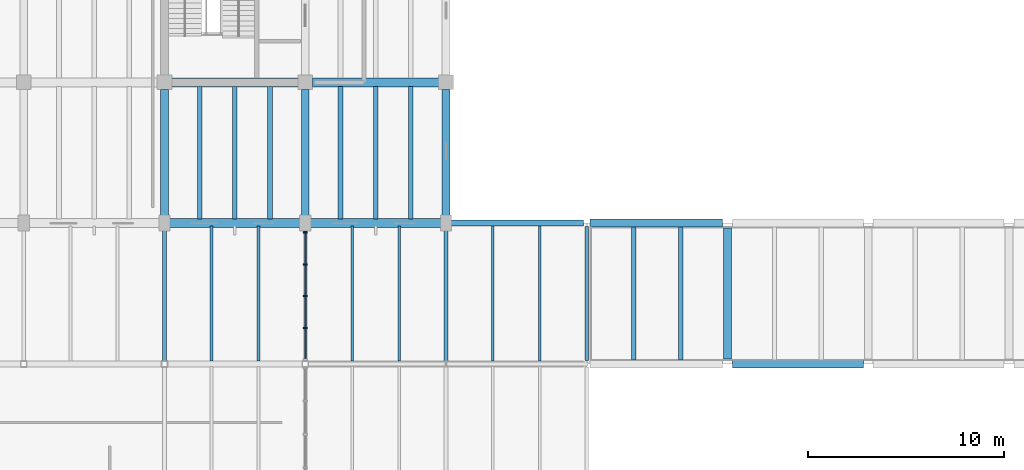
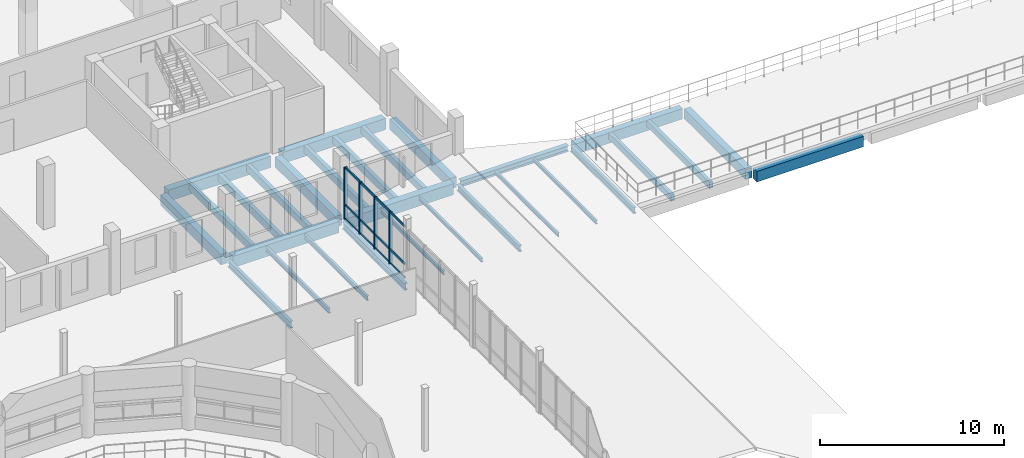
# One storey, part 35 of 63: 29 beams, 16 members, 1 element without a shape of its own.
"""IFC4 building model written with IfcOpenShell, lengths in metres."""

from ifc_helpers import new_model, si_unit, direction, frame, origin, origin_2d, place, context, subcontext, project, spatial, rectangle, i_section, extrude, material, material_profile, profile_set, type_object, element, aggregate, save


model = new_model("IFC4")

# Units and contexts
model_context = context("Model", 3, precision=1e-05, world=origin(), true_north=direction((0.0, 1.0)))
body_context = subcontext(model_context, "Body", "Model", "MODEL_VIEW")
ifc_project = project(units=[si_unit("LENGTHUNIT", "METRE"), si_unit("AREAUNIT", "SQUARE_METRE"), si_unit("VOLUMEUNIT", "CUBIC_METRE"), si_unit("PLANEANGLEUNIT", "RADIAN"), si_unit("MASSUNIT", "GRAM", prefix="KILO")], contexts=[model_context])

# Site, building, storey
site_placement = place(None, origin())
site = spatial("IfcSite", under=ifc_project, at=site_placement, CompositionType="ELEMENT")
building_placement = place(site_placement, origin())
building = spatial("IfcBuilding", under=site, at=building_placement, Name="Qiaolan Assembly House", CompositionType="ELEMENT")
storey_placement = place(building_placement, frame((0.0, 0.0, 14.39990234375)))
storey = spatial("IfcBuildingStorey", under=building, at=storey_placement, Name="L03", CompositionType="ELEMENT", Elevation=14.39990234375)

# Beams
ifc_material_1 = material(Name="Concrete C40/50", Category="concrete")
ifc_material_profile_1 = material_profile(ifc_material_1, rectangle(XDim=0.39990234375, YDim=0.64990234375, at=origin_2d()), Name="RCB 400x650")
ifc_profile_set_1 = profile_set([ifc_material_profile_1], Name="Concrete C40/50")
beam_type_1 = type_object("IfcBeamType", Name="BM-RC-400x650", PredefinedType="BEAM", material=ifc_profile_set_1)
beam_1_placement = place(storey_placement, frame((115.199951171875, 79.449951171875, -0.635009765625), z_axis=(0.0, 1.0, 0.0), x_axis=(-1.0, 0.0, 0.0)))
element("IfcBeam", 1, at=beam_1_placement, inside=storey, type_object=beam_type_1, Name="GB-06 beam BMY-CLNR-L03-01-00", PredefinedType="BEAM", context=body_context, shape_type="SweptSolid", body=[
    extrude(rectangle(XDim=0.39990234375, YDim=0.64990234375, at=origin_2d()), origin(), (0.0, 0.0, 1.0), 6.699951171875),
])
ifc_material_profile_2 = material_profile(ifc_material_1, rectangle(XDim=0.39990234375, YDim=0.699951171875, at=origin_2d()), Name="RCB 400x700")
ifc_profile_set_2 = profile_set([ifc_material_profile_2], Name="Concrete C40/50")
beam_type_2 = type_object("IfcBeamType", Name="BM-RC-400x700", PredefinedType="BEAM", material=ifc_profile_set_2)
for number, where, z_axis, x_axis, name in (
    (2, (86.39990234375, 86.6650390625, -0.579833984375), (0.0, 1.0, 0.0), (-1.0, 0.0, 0.0), "GB-05 beam BMY-NW-L03-07-00"),
    (3, (93.60009765625, 86.6650390625, -0.579833984375), (0.0, 1.0, 0.0), (-1.0, 0.0, 0.0), "GB-05 beam BMY-NW-L03-08-00"),
    (4, (100.800048828125, 86.6650390625, -0.579833984375), (0.0, 1.0, 0.0), (-1.0, 0.0, 0.0), "GB-05 beam BMY-NW-L03-09-00"),
):
    element("IfcBeam", number, at=place(storey_placement, frame(where, z_axis=z_axis, x_axis=x_axis)), inside=storey, type_object=beam_type_2, Name=name, PredefinedType="BEAM", context=body_context, shape_type="SweptSolid", body=[
        extrude(rectangle(XDim=0.39990234375, YDim=0.699951171875, at=origin_2d()), origin(), (0.0, 0.0, 1.0), 6.570068359375),
    ])
beam_2_placement = place(storey_placement, frame((115.449951171875, 79.199951171875, -0.659912109375), z_axis=(1.0, 0.0, 0.0), x_axis=(0.0, 1.0, 0.0)))
element("IfcBeam", 5, at=beam_2_placement, inside=storey, type_object=beam_type_2, Name="GB-05 beam BMX-CLNR-L03-01-00", PredefinedType="BEAM", context=body_context, shape_type="SweptSolid", body=[
    extrude(rectangle(XDim=0.39990234375, YDim=0.699951171875, at=origin_2d()), origin(), (0.0, 0.0, 1.0), 6.699951171875),
])
beam_3_placement = place(storey_placement, frame((108.1650390625, 86.39990234375, -0.659912109375), z_axis=(1.0, 0.0, 0.0), x_axis=(0.0, 1.0, 0.0)))
element("IfcBeam", 6, at=beam_3_placement, inside=storey, type_object=beam_type_2, Name="GB-05 beam BMX-CLNR-L03-00-01", PredefinedType="BEAM", context=body_context, shape_type="SweptSolid", body=[
    extrude(rectangle(XDim=0.39990234375, YDim=0.699951171875, at=origin_2d()), origin(), (0.0, 0.0, 1.0), 6.784912109375),
])
ifc_material_profile_3 = material_profile(ifc_material_1, rectangle(XDim=0.449951171875, YDim=0.75, at=origin_2d()), Name="RCB 450x750")
ifc_profile_set_3 = profile_set([ifc_material_profile_3], Name="Concrete C40/50")
beam_type_3 = type_object("IfcBeamType", Name="BM-RC-450x750", PredefinedType="BEAM", material=ifc_profile_set_3)
for number, where, z_axis, x_axis, name in (
    (7, (86.6650390625, 86.39990234375, -0.60498046875), (1.0, 0.0, 0.0), (0.0, 1.0, 0.0), "GB-04 beam BMX-NW-L03-07-00"),
    (8, (93.864990234375, 86.39990234375, -0.60498046875), (1.0, 0.0, 0.0), (0.0, 1.0, 0.0), "GB-04 beam BMX-NW-L03-08-00"),
):
    element("IfcBeam", number, at=place(storey_placement, frame(where, z_axis=z_axis, x_axis=x_axis)), inside=storey, type_object=beam_type_3, Name=name, PredefinedType="BEAM", context=body_context, shape_type="SweptSolid", body=[
        extrude(rectangle(XDim=0.449951171875, YDim=0.75, at=origin_2d()), origin(), (0.0, 0.0, 1.0), 6.669921875),
    ])
beam_4_placement = place(storey_placement, frame((86.764892578125, 93.60009765625, -0.60498046875), z_axis=(1.0, 0.0, 0.0), x_axis=(0.0, 1.0, 0.0)))
element("IfcBeam", 9, at=beam_4_placement, inside=storey, type_object=beam_type_3, Name="GB-04 beam BMX-NW-L03-07-01", PredefinedType="BEAM", context=body_context, shape_type="SweptSolid", body=[
    extrude(rectangle(XDim=0.449951171875, YDim=0.75, at=origin_2d()), origin(), (0.0, 0.0, 1.0), 6.47021484375),
])
beam_5_placement = place(storey_placement, frame((93.965087890625, 93.60009765625, -0.60498046875), z_axis=(1.0, 0.0, 0.0), x_axis=(0.0, 1.0, 0.0)))
element("IfcBeam", 10, at=beam_5_placement, inside=storey, type_object=beam_type_3, Name="GB-04 beam BMX-NW-L03-08-01", PredefinedType="BEAM", context=body_context, shape_type="SweptSolid", body=[
    extrude(rectangle(XDim=0.449951171875, YDim=0.75, at=origin_2d()), origin(), (0.0, 0.0, 1.0), 6.469970703125),
])
ifc_material_2 = material(Name="Steel Q355B", Category="steel")
ifc_material_profile_4 = material_profile(ifc_material_2, i_section(OverallWidth=0.300048828125, OverallDepth=0.389892578125, WebThickness=0.010009765625, FlangeThickness=0.01611328125, FilletRadius=0.01806640625, at=origin_2d()), Name="HM 390x300x10x16")
ifc_profile_set_4 = profile_set([ifc_material_profile_4], Name="Steel Q355B")
beam_type_4 = type_object("IfcBeamType", Name="BM-STL-HM390", PredefinedType="BEAM", material=ifc_profile_set_4)
beam_6_placement = place(storey_placement, frame((101.06494140625, 86.39990234375, -0.5048828125), z_axis=(1.0, 0.0, 0.0), x_axis=(0.0, 1.0, 0.0)))
element("IfcBeam", 11, at=beam_6_placement, inside=storey, type_object=beam_type_4, Name="SB-08 beam BMX-HLETR-L03-01-07", PredefinedType="BEAM", context=body_context, shape_type="SweptSolid", body=[
    extrude(i_section(OverallWidth=0.300048828125, OverallDepth=0.389892578125, WebThickness=0.010009765625, FlangeThickness=0.01611328125, FilletRadius=0.01806640625, at=origin_2d()), origin(), (0.0, 0.0, 1.0), 6.77001953125),
])
ifc_material_profile_5 = material_profile(ifc_material_2, i_section(OverallWidth=0.199951171875, OverallDepth=0.39990234375, WebThickness=0.008056640625, FlangeThickness=0.012939453125, FilletRadius=0.01611328125, at=origin_2d()), Name="HN 400x200x8x13")
ifc_profile_set_5 = profile_set([ifc_material_profile_5], Name="Steel Q355B")
beam_type_5 = type_object("IfcBeamType", Name="BM-STL-HN400", PredefinedType="BEAM", material=ifc_profile_set_5)
beam_7_placement = place(storey_placement, frame((100.800048828125, 79.340087890625, -0.510009765625), z_axis=(0.0, 1.0, 0.0), x_axis=(-1.0, 0.0, 0.0)))
element("IfcBeam", 12, at=beam_7_placement, inside=storey, type_object=beam_type_5, Name="SB-09 beam BMY-HLETR-L03-01-06", PredefinedType="BEAM", context=body_context, shape_type="SweptSolid", body=[
    extrude(i_section(OverallWidth=0.199951171875, OverallDepth=0.39990234375, WebThickness=0.008056640625, FlangeThickness=0.012939453125, FilletRadius=0.01611328125, at=origin_2d()), origin(), (0.0, 0.0, 1.0), 6.794921875),
])
beam_8_placement = place(storey_placement, frame((108.0, 79.364990234375, -0.510009765625), z_axis=(0.0, 1.0, 0.0), x_axis=(-1.0, 0.0, 0.0)))
element("IfcBeam", 13, at=beam_8_placement, inside=storey, type_object=beam_type_5, Name="SB-09 beam BMY-HLETR-L03-02-06", PredefinedType="BEAM", context=body_context, shape_type="SweptSolid", body=[
    extrude(i_section(OverallWidth=0.199951171875, OverallDepth=0.39990234375, WebThickness=0.008056640625, FlangeThickness=0.012939453125, FilletRadius=0.01611328125, at=origin_2d()), origin(), (0.0, 0.0, 1.0), 6.8701171875),
])
ifc_material_profile_6 = material_profile(ifc_material_2, i_section(OverallWidth=0.199951171875, OverallDepth=0.449951171875, WebThickness=0.009033203125, FlangeThickness=0.013916015625, FilletRadius=0.01611328125, at=origin_2d()), Name="HN 450x200x9x14")
ifc_profile_set_6 = profile_set([ifc_material_profile_6], Name="Steel Q355B")
beam_type_6 = type_object("IfcBeamType", Name="BM-STL-HN450", PredefinedType="BEAM", material=ifc_profile_set_6)
for number, where, z_axis, x_axis, name in (
    (14, (86.39990234375, 79.340087890625, -0.52490234375), (0.0, 1.0, 0.0), (-1.0, 0.0, 0.0), "SB-07 beam BMY-HLC-L03-06-06"),
    (15, (93.60009765625, 79.340087890625, -0.52490234375), (0.0, 1.0, 0.0), (-1.0, 0.0, 0.0), "SB-07 beam BMY-HLC-L03-07-06"),
):
    element("IfcBeam", number, at=place(storey_placement, frame(where, z_axis=z_axis, x_axis=x_axis)), inside=storey, type_object=beam_type_6, Name=name, PredefinedType="BEAM", context=body_context, shape_type="SweptSolid", body=[
        extrude(i_section(OverallWidth=0.199951171875, OverallDepth=0.449951171875, WebThickness=0.009033203125, FlangeThickness=0.013916015625, FilletRadius=0.01611328125, at=origin_2d()), origin(), (0.0, 0.0, 1.0), 6.794921875),
    ])

# Curtain wall, members
ifc_material_3 = material(Name="Anodised bronze aluminium", Category="aluminium")
curtain_wall_type = type_object("IfcCurtainWallType", Name="CW-HALL-CONC-420", PredefinedType="NOTDEFINED", material=ifc_material_3)
curtain_wall_placement = place(storey_placement, origin())
curtain_wall = element("IfcCurtainWall", 16, at=curtain_wall_placement, inside=storey, type_object=curtain_wall_type, Name="CW-07 L03 Concourse East CW 7", PredefinedType="NOTDEFINED")
ifc_material_profile_7 = material_profile(ifc_material_3, rectangle(XDim=0.08203125, YDim=0.18994140625, at=origin_2d()), Name="MUL 82x190")
ifc_profile_set_7 = profile_set([ifc_material_profile_7], Name="Anodised bronze aluminium")
member_type_1 = type_object("IfcMemberType", Name="CW-HALL-CONC-420-MUL", PredefinedType="MULLION", material=ifc_profile_set_7)
member_1_placement = place(storey_placement, frame((93.60009765625, 85.919921875, 0.0), z_axis=(0.0, 0.0, 1.0), x_axis=(0.0, -1.0, 0.0)))
member_1 = element("IfcMember", 17, at=member_1_placement, type_object=member_type_1, Name="ML-03 mullion CW-HLC-E-06-1", PredefinedType="MULLION", context=body_context, shape_type="SweptSolid", body=[
    extrude(rectangle(XDim=0.08203125, YDim=0.18994140625, at=origin_2d()), origin(), (0.0, 0.0, 1.0), 3.4501953125),
])
member_2_placement = place(storey_placement, frame((93.60009765625, 84.29248046875, 0.0), z_axis=(0.0, 0.0, 1.0), x_axis=(0.0, -1.0, 0.0)))
member_2 = element("IfcMember", 18, at=member_2_placement, type_object=member_type_1, Name="ML-03 mullion CW-HLC-E-06-2", PredefinedType="MULLION", context=body_context, shape_type="SweptSolid", body=[
    extrude(rectangle(XDim=0.08203125, YDim=0.18994140625, at=origin_2d()), origin(), (0.0, 0.0, 1.0), 3.4501953125),
])
member_3_placement = place(storey_placement, frame((93.60009765625, 82.6650390625, 0.0), z_axis=(0.0, 0.0, 1.0), x_axis=(0.0, -1.0, 0.0)))
member_3 = element("IfcMember", 19, at=member_3_placement, type_object=member_type_1, Name="ML-03 mullion CW-HLC-E-06-3", PredefinedType="MULLION", context=body_context, shape_type="SweptSolid", body=[
    extrude(rectangle(XDim=0.08203125, YDim=0.18994140625, at=origin_2d()), origin(), (0.0, 0.0, 1.0), 3.4501953125),
])
member_4_placement = place(storey_placement, frame((93.60009765625, 81.03759765625, 0.0), z_axis=(0.0, 0.0, 1.0), x_axis=(0.0, -1.0, 0.0)))
member_4 = element("IfcMember", 20, at=member_4_placement, type_object=member_type_1, Name="ML-03 mullion CW-HLC-E-06-4", PredefinedType="MULLION", context=body_context, shape_type="SweptSolid", body=[
    extrude(rectangle(XDim=0.08203125, YDim=0.18994140625, at=origin_2d()), origin(), (0.0, 0.0, 1.0), 3.4501953125),
])
ifc_material_profile_8 = material_profile(ifc_material_3, rectangle(XDim=0.072021484375, YDim=0.14501953125, at=origin_2d()), Name="TRN 72x145")
ifc_profile_set_8 = profile_set([ifc_material_profile_8], Name="Anodised bronze aluminium")
member_type_2 = type_object("IfcMemberType", Name="CW-HALL-CONC-420-TRN", PredefinedType="USERDEFINED", material=ifc_profile_set_8)
member_5_placement = place(storey_placement, frame((93.60009765625, 85.87890625, 0.030029296875), z_axis=(0.0, -1.0, 0.0), x_axis=(1.0, 0.0, 0.0)))
member_5 = element("IfcMember", 21, at=member_5_placement, type_object=member_type_2, Name="TR-03 transom CW-HLC-E-06-1-1", ObjectType="TRANSOM", PredefinedType="USERDEFINED", context=body_context, shape_type="SweptSolid", body=[
    extrude(rectangle(XDim=0.072021484375, YDim=0.14501953125, at=origin_2d()), origin(), (0.0, 0.0, 1.0), 1.54541015625),
])
member_6_placement = place(storey_placement, frame((93.60009765625, 85.87890625, 0.9501953125), z_axis=(0.0, -1.0, 0.0), x_axis=(1.0, 0.0, 0.0)))
member_6 = element("IfcMember", 22, at=member_6_placement, type_object=member_type_2, Name="TR-03 transom CW-HLC-E-06-1-2", ObjectType="TRANSOM", PredefinedType="USERDEFINED", context=body_context, shape_type="SweptSolid", body=[
    extrude(rectangle(XDim=0.072021484375, YDim=0.14501953125, at=origin_2d()), origin(), (0.0, 0.0, 1.0), 1.54541015625),
])
member_7_placement = place(storey_placement, frame((93.60009765625, 85.87890625, 3.420166015625), z_axis=(0.0, -1.0, 0.0), x_axis=(1.0, 0.0, 0.0)))
member_7 = element("IfcMember", 23, at=member_7_placement, type_object=member_type_2, Name="TR-03 transom CW-HLC-E-06-1-3", ObjectType="TRANSOM", PredefinedType="USERDEFINED", context=body_context, shape_type="SweptSolid", body=[
    extrude(rectangle(XDim=0.072021484375, YDim=0.14501953125, at=origin_2d()), origin(), (0.0, 0.0, 1.0), 1.54541015625),
])
member_8_placement = place(storey_placement, frame((93.60009765625, 84.25146484375, 0.030029296875), z_axis=(0.0, -1.0, 0.0), x_axis=(1.0, 0.0, 0.0)))
member_8 = element("IfcMember", 24, at=member_8_placement, type_object=member_type_2, Name="TR-03 transom CW-HLC-E-06-2-1", ObjectType="TRANSOM", PredefinedType="USERDEFINED", context=body_context, shape_type="SweptSolid", body=[
    extrude(rectangle(XDim=0.072021484375, YDim=0.14501953125, at=origin_2d()), origin(), (0.0, 0.0, 1.0), 1.54541015625),
])
member_9_placement = place(storey_placement, frame((93.60009765625, 84.25146484375, 0.9501953125), z_axis=(0.0, -1.0, 0.0), x_axis=(1.0, 0.0, 0.0)))
member_9 = element("IfcMember", 25, at=member_9_placement, type_object=member_type_2, Name="TR-03 transom CW-HLC-E-06-2-2", ObjectType="TRANSOM", PredefinedType="USERDEFINED", context=body_context, shape_type="SweptSolid", body=[
    extrude(rectangle(XDim=0.072021484375, YDim=0.14501953125, at=origin_2d()), origin(), (0.0, 0.0, 1.0), 1.54541015625),
])
member_10_placement = place(storey_placement, frame((93.60009765625, 84.25146484375, 3.420166015625), z_axis=(0.0, -1.0, 0.0), x_axis=(1.0, 0.0, 0.0)))
member_10 = element("IfcMember", 26, at=member_10_placement, type_object=member_type_2, Name="TR-03 transom CW-HLC-E-06-2-3", ObjectType="TRANSOM", PredefinedType="USERDEFINED", context=body_context, shape_type="SweptSolid", body=[
    extrude(rectangle(XDim=0.072021484375, YDim=0.14501953125, at=origin_2d()), origin(), (0.0, 0.0, 1.0), 1.54541015625),
])
member_11_placement = place(storey_placement, frame((93.60009765625, 82.6240234375, 0.030029296875), z_axis=(0.0, -1.0, 0.0), x_axis=(1.0, 0.0, 0.0)))
member_11 = element("IfcMember", 27, at=member_11_placement, type_object=member_type_2, Name="TR-03 transom CW-HLC-E-06-3-1", ObjectType="TRANSOM", PredefinedType="USERDEFINED", context=body_context, shape_type="SweptSolid", body=[
    extrude(rectangle(XDim=0.072021484375, YDim=0.14501953125, at=origin_2d()), origin(), (0.0, 0.0, 1.0), 1.54541015625),
])
member_12_placement = place(storey_placement, frame((93.60009765625, 82.6240234375, 0.9501953125), z_axis=(0.0, -1.0, 0.0), x_axis=(1.0, 0.0, 0.0)))
member_12 = element("IfcMember", 28, at=member_12_placement, type_object=member_type_2, Name="TR-03 transom CW-HLC-E-06-3-2", ObjectType="TRANSOM", PredefinedType="USERDEFINED", context=body_context, shape_type="SweptSolid", body=[
    extrude(rectangle(XDim=0.072021484375, YDim=0.14501953125, at=origin_2d()), origin(), (0.0, 0.0, 1.0), 1.54541015625),
])
member_13_placement = place(storey_placement, frame((93.60009765625, 82.6240234375, 3.420166015625), z_axis=(0.0, -1.0, 0.0), x_axis=(1.0, 0.0, 0.0)))
member_13 = element("IfcMember", 29, at=member_13_placement, type_object=member_type_2, Name="TR-03 transom CW-HLC-E-06-3-3", ObjectType="TRANSOM", PredefinedType="USERDEFINED", context=body_context, shape_type="SweptSolid", body=[
    extrude(rectangle(XDim=0.072021484375, YDim=0.14501953125, at=origin_2d()), origin(), (0.0, 0.0, 1.0), 1.54541015625),
])
member_14_placement = place(storey_placement, frame((93.60009765625, 80.99658203125, 0.030029296875), z_axis=(0.0, -1.0, 0.0), x_axis=(1.0, 0.0, 0.0)))
member_14 = element("IfcMember", 30, at=member_14_placement, type_object=member_type_2, Name="TR-03 transom CW-HLC-E-06-4-1", ObjectType="TRANSOM", PredefinedType="USERDEFINED", context=body_context, shape_type="SweptSolid", body=[
    extrude(rectangle(XDim=0.072021484375, YDim=0.14501953125, at=origin_2d()), origin(), (0.0, 0.0, 1.0), 1.545654296875),
])
member_15_placement = place(storey_placement, frame((93.60009765625, 80.99658203125, 0.9501953125), z_axis=(0.0, -1.0, 0.0), x_axis=(1.0, 0.0, 0.0)))
member_15 = element("IfcMember", 31, at=member_15_placement, type_object=member_type_2, Name="TR-03 transom CW-HLC-E-06-4-2", ObjectType="TRANSOM", PredefinedType="USERDEFINED", context=body_context, shape_type="SweptSolid", body=[
    extrude(rectangle(XDim=0.072021484375, YDim=0.14501953125, at=origin_2d()), origin(), (0.0, 0.0, 1.0), 1.545654296875),
])
member_16_placement = place(storey_placement, frame((93.60009765625, 80.99658203125, 3.420166015625), z_axis=(0.0, -1.0, 0.0), x_axis=(1.0, 0.0, 0.0)))
member_16 = element("IfcMember", 32, at=member_16_placement, type_object=member_type_2, Name="TR-03 transom CW-HLC-E-06-4-3", ObjectType="TRANSOM", PredefinedType="USERDEFINED", context=body_context, shape_type="SweptSolid", body=[
    extrude(rectangle(XDim=0.072021484375, YDim=0.14501953125, at=origin_2d()), origin(), (0.0, 0.0, 1.0), 1.545654296875),
])
aggregate(curtain_wall, [member_1, member_2, member_3, member_4, member_5, member_6, member_7, member_8, member_9, member_10, member_11, member_12, member_13, member_14, member_15, member_16])

# Beams
ifc_material_profile_9 = material_profile(ifc_material_1, rectangle(XDim=0.219970703125, YDim=0.419921875, at=origin_2d()), Name="RCB 220x420")
ifc_profile_set_9 = profile_set([ifc_material_profile_9], Name="Concrete C40/50")
beam_type_7 = type_object("IfcBeamType", Name="JST-RC-220x420", PredefinedType="JOIST", material=ifc_profile_set_9)
for number, where, z_axis, x_axis, name in (
    (33, (110.39990234375, 79.39404296875, -0.52001953125), (0.0, 1.0, 0.0), (-1.0, 0.0, 0.0), "RJ-03 beam JST-CLNR-L03-00-00-1"),
    (34, (112.800048828125, 79.39404296875, -0.52001953125), (0.0, 1.0, 0.0), (-1.0, 0.0, 0.0), "RJ-03 beam JST-CLNR-L03-00-00-2"),
):
    element("IfcBeam", number, at=place(storey_placement, frame(where, z_axis=z_axis, x_axis=x_axis)), inside=storey, type_object=beam_type_7, Name=name, PredefinedType="JOIST", context=body_context, shape_type="SweptSolid", body=[
        extrude(rectangle(XDim=0.219970703125, YDim=0.419921875, at=origin_2d()), origin(), (0.0, 0.0, 1.0), 6.81201171875),
    ])
ifc_material_profile_10 = material_profile(ifc_material_1, rectangle(XDim=0.239990234375, YDim=0.47998046875, at=origin_2d()), Name="RCB 240x480")
ifc_profile_set_10 = profile_set([ifc_material_profile_10], Name="Concrete C40/50")
beam_type_8 = type_object("IfcBeamType", Name="JST-RC-240x480", PredefinedType="JOIST", material=ifc_profile_set_10)
for number, where, z_axis, x_axis, name in (
    (35, (88.199951171875, 86.618896484375, -0.469970703125), (0.0, 1.0, 0.0), (-1.0, 0.0, 0.0), "RJ-05 beam JST-NW-L03-07-00-1"),
    (36, (90.0, 86.618896484375, -0.469970703125), (0.0, 1.0, 0.0), (-1.0, 0.0, 0.0), "RJ-05 beam JST-NW-L03-07-00-2"),
    (37, (91.800048828125, 86.618896484375, -0.469970703125), (0.0, 1.0, 0.0), (-1.0, 0.0, 0.0), "RJ-05 beam JST-NW-L03-07-00-3"),
    (38, (95.39990234375, 86.618896484375, -0.469970703125), (0.0, 1.0, 0.0), (-1.0, 0.0, 0.0), "RJ-05 beam JST-NW-L03-08-00-1"),
    (39, (97.199951171875, 86.618896484375, -0.469970703125), (0.0, 1.0, 0.0), (-1.0, 0.0, 0.0), "RJ-05 beam JST-NW-L03-08-00-2"),
    (40, (99.0, 86.618896484375, -0.469970703125), (0.0, 1.0, 0.0), (-1.0, 0.0, 0.0), "RJ-05 beam JST-NW-L03-08-00-3"),
):
    element("IfcBeam", number, at=place(storey_placement, frame(where, z_axis=z_axis, x_axis=x_axis)), inside=storey, type_object=beam_type_8, Name=name, PredefinedType="JOIST", context=body_context, shape_type="SweptSolid", body=[
        extrude(rectangle(XDim=0.239990234375, YDim=0.47998046875, at=origin_2d()), origin(), (0.0, 0.0, 1.0), 6.76220703125),
    ])
ifc_material_profile_11 = material_profile(ifc_material_2, i_section(OverallWidth=0.125, OverallDepth=0.25, WebThickness=0.006103515625, FlangeThickness=0.009033203125, FilletRadius=0.011962890625, at=origin_2d()), Name="HN 250x125x6x9")
ifc_profile_set_11 = profile_set([ifc_material_profile_11], Name="Steel Q355B")
beam_type_9 = type_object("IfcBeamType", Name="JST-STL-HN250", PredefinedType="JOIST", material=ifc_profile_set_11)
for number, where, z_axis, x_axis, name in (
    (41, (96.0, 79.343994140625, -0.434814453125), (0.0, 1.0, 0.0), (-1.0, 0.0, 0.0), "SJ-03 beam JST-HLETR-L03-00-06-1"),
    (42, (98.39990234375, 79.343994140625, -0.434814453125), (0.0, 1.0, 0.0), (-1.0, 0.0, 0.0), "SJ-03 beam JST-HLETR-L03-00-06-2"),
    (43, (103.199951171875, 79.343994140625, -0.434814453125), (0.0, 1.0, 0.0), (-1.0, 0.0, 0.0), "SJ-03 beam JST-HLETR-L03-01-06-1"),
    (44, (105.60009765625, 79.343994140625, -0.434814453125), (0.0, 1.0, 0.0), (-1.0, 0.0, 0.0), "SJ-03 beam JST-HLETR-L03-01-06-2"),
):
    element("IfcBeam", number, at=place(storey_placement, frame(where, z_axis=z_axis, x_axis=x_axis)), inside=storey, type_object=beam_type_9, Name=name, PredefinedType="JOIST", context=body_context, shape_type="SweptSolid", body=[
        extrude(i_section(OverallWidth=0.125, OverallDepth=0.25, WebThickness=0.006103515625, FlangeThickness=0.009033203125, FilletRadius=0.011962890625, at=origin_2d()), origin(), (0.0, 0.0, 1.0), 6.912109375),
    ])
ifc_material_profile_12 = material_profile(ifc_material_2, i_section(OverallWidth=0.14990234375, OverallDepth=0.300048828125, WebThickness=0.006591796875, FlangeThickness=0.009033203125, FilletRadius=0.012939453125, at=origin_2d()), Name="HN 300x150x6.5x9")
ifc_profile_set_12 = profile_set([ifc_material_profile_12], Name="Steel Q355B")
beam_type_10 = type_object("IfcBeamType", Name="JST-STL-HN300", PredefinedType="JOIST", material=ifc_profile_set_12)
for number, where, z_axis, x_axis, name in (
    (45, (88.800048828125, 79.343994140625, -0.449951171875), (0.0, 1.0, 0.0), (-1.0, 0.0, 0.0), "SJ-02 beam JST-HLC-L03-06-06-1"),
    (46, (91.199951171875, 79.343994140625, -0.449951171875), (0.0, 1.0, 0.0), (-1.0, 0.0, 0.0), "SJ-02 beam JST-HLC-L03-06-06-2"),
):
    element("IfcBeam", number, at=place(storey_placement, frame(where, z_axis=z_axis, x_axis=x_axis)), inside=storey, type_object=beam_type_10, Name=name, PredefinedType="JOIST", context=body_context, shape_type="SweptSolid", body=[
        extrude(i_section(OverallWidth=0.14990234375, OverallDepth=0.300048828125, WebThickness=0.006591796875, FlangeThickness=0.009033203125, FilletRadius=0.012939453125, at=origin_2d()), origin(), (0.0, 0.0, 1.0), 6.912109375),
    ])

save(model, "model.ifc")
